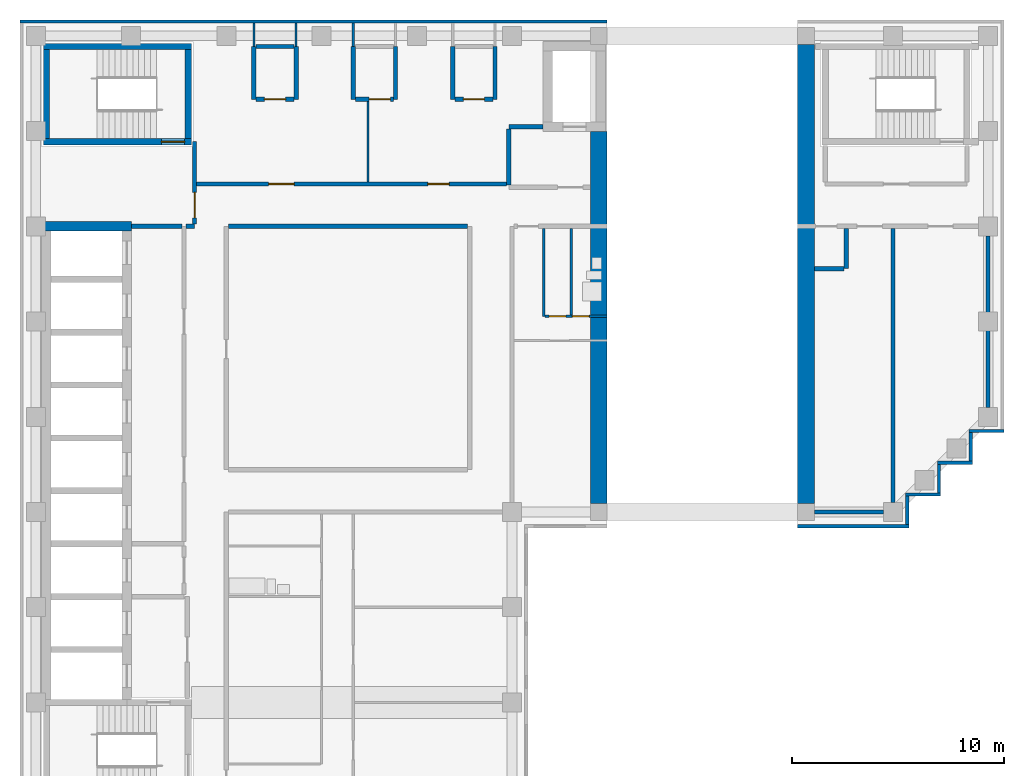
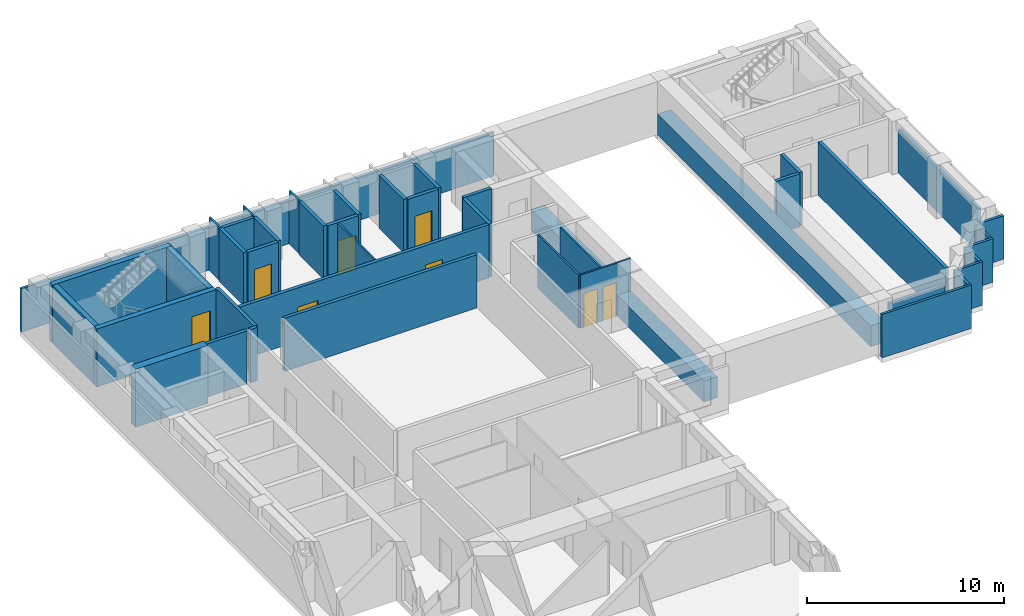
# One storey, part 4 of 7: 44 walls, 9 doors, 9 openings.
"""IFC4 building model written with IfcOpenShell, lengths in metres."""

from ifc_helpers import new_model, si_unit, direction, frame, frame_2d, origin, place, context, subcontext, project, spatial, rectangle, extrude, material, layer, layer_set, type_object, element, fill, save


model = new_model("IFC4")

# Units and contexts
model_context = context("Model", 3, precision=1e-05, world=origin(), true_north=direction((0.0, 1.0)))
body_context = subcontext(model_context, "Body", "Model", "MODEL_VIEW")
ifc_project = project(units=[si_unit("LENGTHUNIT", "METRE"), si_unit("AREAUNIT", "SQUARE_METRE"), si_unit("VOLUMEUNIT", "CUBIC_METRE"), si_unit("PLANEANGLEUNIT", "RADIAN"), si_unit("MASSUNIT", "GRAM", prefix="KILO")], contexts=[model_context])

# Site, building, storey
site_placement = place(None, origin())
site = spatial("IfcSite", under=ifc_project, at=site_placement, CompositionType="ELEMENT")
building_placement = place(site_placement, origin())
building = spatial("IfcBuilding", under=site, at=building_placement, Name="Firuza Court", CompositionType="ELEMENT")
storey_placement = place(building_placement, frame((0.0, 0.0, 247.39990234375)))
storey = spatial("IfcBuildingStorey", under=building, at=storey_placement, Name="L64", CompositionType="ELEMENT", Elevation=247.39990234375)

# Wall
ifc_material_1 = material(Name="Moisture-resistant gypsum board partition")
ifc_layer_1 = layer(ifc_material_1, 0.10009765625)
ifc_layer_set_1 = layer_set([ifc_layer_1], Name="Moisture-resistant gypsum board partition")
wall_type_1 = type_object("IfcWallType", Name="Bathroom partition 100", PredefinedType="PLUMBINGWALL", material=ifc_layer_set_1)
wall_1_placement = place(storey_placement, frame((25.300048828125, 45.300048828125, 0.0), z_axis=(0.0, 0.0, 1.0), x_axis=(0.0, 1.0, 0.0)))
element("IfcWall", 1, at=wall_1_placement, inside=storey, type_object=wall_type_1, Name="Bathroom partition 100 L64", PredefinedType="PLUMBINGWALL", context=body_context, shape_type="SweptSolid", body=[
    extrude(rectangle(XDim=4.099853515625, YDim=0.10009765625, at=frame_2d((2.0498046875, 0.0))), origin(), (0.0, 0.0, 1.0), 3.300048828125),
])

# Wall, opening, door
ifc_material_2 = material(Name="Concrete C50/60", Category="concrete")
ifc_layer_2 = layer(ifc_material_2, 0.300048828125)
ifc_layer_set_2 = layer_set([ifc_layer_2], Name="Concrete C50/60")
wall_type_2 = type_object("IfcWallType", Name="Core wall 300 C50/60", PredefinedType="SHEAR", material=ifc_layer_set_2)
wall_2_placement = place(storey_placement, frame((0.35009765625, 53.5, -0.2998046875), z_axis=(0.0, 0.0, 1.0), x_axis=(1.0, 0.0, 0.0)))
wall_2 = element("IfcWall", 2, at=wall_2_placement, inside=storey, type_object=wall_type_2, Name="Core wall stair L64", PredefinedType="SHEAR", context=body_context, shape_type="SweptSolid", body=[
    extrude(rectangle(XDim=7.0, YDim=0.300048828125, at=frame_2d((3.5, 0.0))), origin(), (0.0, 0.0, 1.0), 3.599853515625),
])
opening_1_placement = place(wall_2_placement, frame((5.580078125, 0.0, 0.300048828125)))
opening_1 = element("IfcOpeningElement", 3, at=opening_1_placement, cuts=wall_2, Name="Opening D64011", PredefinedType="OPENING", context=body_context, shape_type="SweptSolid", body=[
    extrude(rectangle(XDim=1.10009765625, YDim=2.10009765625, at=frame_2d((0.550048828125, 1.050048828125))), frame((0.0, 0.162109375, 0.0), z_axis=(0.0, -1.0, 0.0), x_axis=(1.0, 0.0, 0.0)), (0.0, 0.0, 1.0), 0.323974609375),
])
ifc_material_3 = material(Name="Timber door leaf in hardwood frame", Category="wood")
door_type_1 = type_object("IfcDoorType", Name="Stair door 1100", OperationType="SINGLE_SWING_LEFT", PredefinedType="DOOR", material=ifc_material_3)
door_1_placement = place(opening_1_placement, origin())
door_1 = element("IfcDoor", 4, at=door_1_placement, inside=storey, type_object=door_type_1, Name="Stair door S3", OperationType="SINGLE_SWING_RIGHT", OverallHeight=2.10009765625, OverallWidth=1.10009765625, PredefinedType="DOOR", context=body_context, shape_type="SweptSolid", body=[
    extrude(rectangle(XDim=1.10009765625, YDim=2.10009765625, at=frame_2d((0.550048828125, 1.050048828125))), frame((0.0, 0.02490234375, 0.0), z_axis=(0.0, -1.0, 0.0), x_axis=(1.0, 0.0, 0.0)), (0.0, 0.0, 1.0), 0.050048828125),
])
fill(opening_1, door_1)

# Walls
wall_3_placement = place(storey_placement, frame((0.35009765625, 58.0, -0.2998046875), z_axis=(0.0, 0.0, 1.0), x_axis=(1.0, 0.0, 0.0)))
element("IfcWall", 5, at=wall_3_placement, inside=storey, type_object=wall_type_2, Name="Core wall stair L64", PredefinedType="SHEAR", context=body_context, shape_type="SweptSolid", body=[
    extrude(rectangle(XDim=7.0, YDim=0.300048828125, at=frame_2d((3.5, 0.0))), origin(), (0.0, 0.0, 1.0), 3.599853515625),
])
for number, where, z_axis, x_axis, name in (
    (6, (0.5, 53.64990234375, -0.2998046875), (0.0, 0.0, 1.0), (0.0, 1.0, 0.0), "Core wall stair L64"),
    (7, (7.199951171875, 53.64990234375, -0.2998046875), (0.0, 0.0, 1.0), (0.0, 1.0, 0.0), "Core wall stair L64"),
):
    element("IfcWall", number, at=place(storey_placement, frame(where, z_axis=z_axis, x_axis=x_axis)), inside=storey, type_object=wall_type_2, Name=name, PredefinedType="SHEAR", context=body_context, shape_type="SweptSolid", body=[
        extrude(rectangle(XDim=4.2001953125, YDim=0.300048828125, at=frame_2d((2.10009765625, 0.0))), origin(), (0.0, 0.0, 1.0), 3.599853515625),
    ])
ifc_layer_3 = layer(ifc_material_2, 0.449951171875)
ifc_layer_set_3 = layer_set([ifc_layer_3], Name="Concrete C50/60")
wall_type_3 = type_object("IfcWallType", Name="Core wall 450 C50/60", PredefinedType="SHEAR", material=ifc_layer_set_3)
wall_4_placement = place(storey_placement, frame((0.27490234375, 49.5, -0.2998046875), z_axis=(0.0, 0.0, 1.0), x_axis=(1.0, 0.0, 0.0)))
element("IfcWall", 8, at=wall_4_placement, inside=storey, type_object=wall_type_3, Name="Core wall lift shaft L64", PredefinedType="SHEAR", context=body_context, shape_type="SweptSolid", body=[
    extrude(rectangle(XDim=4.25, YDim=0.449951171875, at=frame_2d((2.125, 0.0))), origin(), (0.0, 0.0, 1.0), 3.599853515625),
])
ifc_material_4 = material(Name="Blockwork, plastered both sides", Category="masonry")
ifc_layer_4 = layer(ifc_material_4, 0.199951171875)
ifc_layer_set_4 = layer_set([ifc_layer_4], Name="Blockwork, plastered both sides")
wall_type_4 = type_object("IfcWallType", Name="Corridor wall 200", PredefinedType="PARTITIONING", material=ifc_layer_set_4)
wall_5_placement = place(storey_placement, frame((9.10009765625, 49.5, 0.0), z_axis=(0.0, 0.0, 1.0), x_axis=(1.0, 0.0, 0.0)))
element("IfcWall", 9, at=wall_5_placement, inside=storey, type_object=wall_type_4, Name="Corridor wall 200 L64", PredefinedType="PARTITIONING", context=body_context, shape_type="SweptSolid", body=[
    extrude(rectangle(XDim=11.2998046875, YDim=0.199951171875, at=frame_2d((5.64990234375, 0.0))), origin(), (0.0, 0.0, 1.0), 3.300048828125),
])

# Wall, openings, doors
wall_6_placement = place(storey_placement, frame((7.60009765625, 51.5, 0.0), z_axis=(0.0, 0.0, 1.0), x_axis=(1.0, 0.0, 0.0)))
wall_6 = element("IfcWall", 10, at=wall_6_placement, inside=storey, type_object=wall_type_4, Name="Corridor wall 200 L64", PredefinedType="PARTITIONING", context=body_context, shape_type="SweptSolid", body=[
    extrude(rectangle(XDim=14.64990234375, YDim=0.199951171875, at=frame_2d((7.324951171875, 0.0))), origin(), (0.0, 0.0, 1.0), 3.300048828125),
])
opening_2_placement = place(wall_6_placement, frame((3.39990234375, 0.0, 0.0)))
opening_2 = element("IfcOpeningElement", 11, at=opening_2_placement, cuts=wall_6, Name="Opening D64032", PredefinedType="OPENING", context=body_context, shape_type="SweptSolid", body=[
    extrude(rectangle(XDim=1.199951171875, YDim=2.10009765625, at=frame_2d((0.60009765625, 1.050048828125))), frame((0.0, 0.11181640625, 0.0), z_axis=(0.0, -1.0, 0.0), x_axis=(1.0, 0.0, 0.0)), (0.0, 0.0, 1.0), 0.223876953125),
])
opening_3_placement = place(wall_6_placement, frame((10.925048828125, 0.0, 0.0)))
opening_3 = element("IfcOpeningElement", 12, at=opening_3_placement, cuts=wall_6, Name="Opening D64033", PredefinedType="OPENING", context=body_context, shape_type="SweptSolid", body=[
    extrude(rectangle(XDim=1.0, YDim=2.10009765625, at=frame_2d((0.5, 1.050048828125))), frame((0.0, 0.11181640625, 0.0), z_axis=(0.0, -1.0, 0.0), x_axis=(1.0, 0.0, 0.0)), (0.0, 0.0, 1.0), 0.223876953125),
])
ifc_material_5 = material(Name="Timber door leaf in hardwood frame", Category="wood")
door_type_2 = type_object("IfcDoorType", Name="Plant room door 1200", OperationType="SINGLE_SWING_LEFT", PredefinedType="DOOR", material=ifc_material_5)
door_2_placement = place(opening_2_placement, origin())
door_2 = element("IfcDoor", 13, at=door_2_placement, inside=storey, type_object=door_type_2, Name="Plant door", OperationType="SINGLE_SWING_LEFT", OverallHeight=2.10009765625, OverallWidth=1.199951171875, PredefinedType="DOOR", context=body_context, shape_type="SweptSolid", body=[
    extrude(rectangle(XDim=1.199951171875, YDim=2.10009765625, at=frame_2d((0.60009765625, 1.050048828125))), frame((0.0, 0.02490234375, 0.0), z_axis=(0.0, -1.0, 0.0), x_axis=(1.0, 0.0, 0.0)), (0.0, 0.0, 1.0), 0.050048828125),
])
fill(opening_2, door_2)
ifc_material_6 = material(Name="Timber door leaf in hardwood frame", Category="wood")
door_type_3 = type_object("IfcDoorType", Name="Store door 1000", OperationType="SINGLE_SWING_LEFT", PredefinedType="DOOR", material=ifc_material_6)
door_3_placement = place(opening_3_placement, origin())
door_3 = element("IfcDoor", 14, at=door_3_placement, inside=storey, type_object=door_type_3, Name="Electrical room door", OperationType="SINGLE_SWING_LEFT", OverallHeight=2.10009765625, OverallWidth=1.0, PredefinedType="DOOR", context=body_context, shape_type="SweptSolid", body=[
    extrude(rectangle(XDim=1.0, YDim=2.10009765625, at=frame_2d((0.5, 1.050048828125))), frame((0.0, 0.02490234375, 0.0), z_axis=(0.0, -1.0, 0.0), x_axis=(1.0, 0.0, 0.0)), (0.0, 0.0, 1.0), 0.050048828125),
])
fill(opening_3, door_3)

# Wall
ifc_material_7 = material(Name="Timber stud partition, plasterboard both sides", Category="wood")
ifc_layer_5 = layer(ifc_material_7, 0.10009765625)
ifc_layer_set_5 = layer_set([ifc_layer_5], Name="Timber stud partition, plasterboard both sides")
wall_type_5 = type_object("IfcWallType", Name="Partition wall 100", PredefinedType="PARTITIONING", material=ifc_layer_set_5)
wall_7_placement = place(storey_placement, frame((24.0, 45.25, 0.0), z_axis=(0.0, 0.0, 1.0), x_axis=(0.0, 1.0, 0.0)))
element("IfcWall", 15, at=wall_7_placement, inside=storey, type_object=wall_type_5, Name="Partition wall 100 L64", PredefinedType="PARTITIONING", context=body_context, shape_type="SweptSolid", body=[
    extrude(rectangle(XDim=4.14990234375, YDim=0.10009765625, at=frame_2d((2.074951171875, 0.0))), origin(), (0.0, 0.0, 1.0), 3.300048828125),
])

# Wall, openings, doors
wall_8_placement = place(storey_placement, frame((24.050048828125, 45.25, 0.0), z_axis=(0.0, 0.0, 1.0), x_axis=(1.0, 0.0, 0.0)))
wall_8 = element("IfcWall", 16, at=wall_8_placement, inside=storey, type_object=wall_type_5, Name="Partition wall 100 L64", PredefinedType="PARTITIONING", context=body_context, shape_type="SweptSolid", body=[
    extrude(rectangle(XDim=2.949951171875, YDim=0.10009765625, at=frame_2d((1.47509765625, 0.0))), origin(), (0.0, 0.0, 1.0), 3.300048828125),
])
opening_4_placement = place(wall_8_placement, frame((1.300048828125, 0.0, 0.0)))
opening_4 = element("IfcOpeningElement", 17, at=opening_4_placement, cuts=wall_8, Name="Opening D64026", PredefinedType="OPENING", context=body_context, shape_type="SweptSolid", body=[
    extrude(rectangle(XDim=0.800048828125, YDim=2.10009765625, at=frame_2d((0.39990234375, 1.050048828125))), frame((0.0, 0.06201171875, 0.0), z_axis=(0.0, -1.0, 0.0), x_axis=(1.0, 0.0, 0.0)), (0.0, 0.0, 1.0), 0.1240234375),
])
opening_5_placement = place(wall_8_placement, frame((0.199951171875, 0.0, 0.0)))
opening_5 = element("IfcOpeningElement", 18, at=opening_5_placement, cuts=wall_8, Name="Opening D64027", PredefinedType="OPENING", context=body_context, shape_type="SweptSolid", body=[
    extrude(rectangle(XDim=0.800048828125, YDim=2.10009765625, at=frame_2d((0.39990234375, 1.050048828125))), frame((0.0, 0.06201171875, 0.0), z_axis=(0.0, -1.0, 0.0), x_axis=(1.0, 0.0, 0.0)), (0.0, 0.0, 1.0), 0.1240234375),
])
ifc_material_8 = material(Name="Timber door leaf in hardwood frame", Category="wood")
door_type_4 = type_object("IfcDoorType", Name="Bathroom door 800", OperationType="SINGLE_SWING_LEFT", PredefinedType="DOOR", material=ifc_material_8)
door_4_placement = place(opening_4_placement, origin())
door_4 = element("IfcDoor", 19, at=door_4_placement, inside=storey, type_object=door_type_4, Name="Bathroom door", OperationType="SINGLE_SWING_LEFT", OverallHeight=2.10009765625, OverallWidth=0.800048828125, PredefinedType="DOOR", context=body_context, shape_type="SweptSolid", body=[
    extrude(rectangle(XDim=0.800048828125, YDim=2.10009765625, at=frame_2d((0.39990234375, 1.050048828125))), frame((0.0, 0.02490234375, 0.0), z_axis=(0.0, -1.0, 0.0), x_axis=(1.0, 0.0, 0.0)), (0.0, 0.0, 1.0), 0.050048828125),
])
fill(opening_4, door_4)
ifc_material_9 = material(Name="Timber door leaf in hardwood frame", Category="wood")
door_type_5 = type_object("IfcDoorType", Name="Room door 800", OperationType="SINGLE_SWING_LEFT", PredefinedType="DOOR", material=ifc_material_9)
door_5_placement = place(opening_5_placement, origin())
door_5 = element("IfcDoor", 20, at=door_5_placement, inside=storey, type_object=door_type_5, Name="Kitchen door", OperationType="SINGLE_SWING_LEFT", OverallHeight=2.10009765625, OverallWidth=0.800048828125, PredefinedType="DOOR", context=body_context, shape_type="SweptSolid", body=[
    extrude(rectangle(XDim=0.800048828125, YDim=2.10009765625, at=frame_2d((0.39990234375, 1.050048828125))), frame((0.0, 0.02490234375, 0.0), z_axis=(0.0, -1.0, 0.0), x_axis=(1.0, 0.0, 0.0)), (0.0, 0.0, 1.0), 0.050048828125),
])
fill(opening_5, door_5)

# Walls
wall_9_placement = place(storey_placement, frame((15.699951171875, 51.60009765625, 0.0), z_axis=(0.0, 0.0, 1.0), x_axis=(0.0, 1.0, 0.0)))
element("IfcWall", 21, at=wall_9_placement, inside=storey, type_object=wall_type_5, Name="Partition wall 100 L64", PredefinedType="PARTITIONING", context=body_context, shape_type="SweptSolid", body=[
    extrude(rectangle(XDim=3.7998046875, YDim=0.10009765625, at=frame_2d((1.89990234375, 0.0))), origin(), (0.0, 0.0, 1.0), 3.300048828125),
])
for number, where, z_axis, x_axis, name in (
    (22, (10.300048828125, 58.0, 0.0), (0.0, 0.0, 1.0), (0.0, 1.0, 0.0), "Partition wall 100 L64"),
    (23, (12.300048828125, 58.0, 0.0), (0.0, 0.0, 1.0), (0.0, 1.0, 0.0), "Partition wall 100 L64"),
    (24, (15.0, 58.0, 0.0), (0.0, 0.0, 1.0), (0.0, 1.0, 0.0), "Partition wall 100 L64"),
):
    element("IfcWall", number, at=place(storey_placement, frame(where, z_axis=z_axis, x_axis=x_axis)), inside=storey, type_object=wall_type_5, Name=name, PredefinedType="PARTITIONING", context=body_context, shape_type="SweptSolid", body=[
        extrude(rectangle(XDim=1.10009765625, YDim=0.10009765625, at=frame_2d((0.550048828125, 0.0))), origin(), (0.0, 0.0, 1.0), 3.300048828125),
    ])
ifc_material_10 = material(Name="Blockwork, fire-rated", Category="masonry")
ifc_layer_6 = layer(ifc_material_10, 0.199951171875)
ifc_layer_set_6 = layer_set([ifc_layer_6], Name="Blockwork, fire-rated")
wall_type_6 = type_object("IfcWallType", Name="Plant room wall 200", PredefinedType="PARTITIONING", material=ifc_layer_set_6)
wall_10_placement = place(storey_placement, frame((36.800048828125, 36.0, 0.0), z_axis=(0.0, 0.0, 1.0), x_axis=(1.0, 0.0, 0.0)))
element("IfcWall", 25, at=wall_10_placement, inside=storey, type_object=wall_type_6, Name="Plant room wall 200 L64", PredefinedType="PARTITIONING", context=body_context, shape_type="SweptSolid", body=[
    extrude(rectangle(XDim=3.25, YDim=0.199951171875, at=frame_2d((1.625, 0.0))), origin(), (0.0, 0.0, 1.0), 2.7001953125),
])
wall_11_placement = place(storey_placement, frame((40.5, 36.449951171875, 0.0), z_axis=(0.0, 0.0, 1.0), x_axis=(0.0, 1.0, 0.0)))
element("IfcWall", 26, at=wall_11_placement, inside=storey, type_object=wall_type_6, Name="Plant room wall 200 L64", PredefinedType="PARTITIONING", context=body_context, shape_type="SweptSolid", body=[
    extrude(rectangle(XDim=12.949951171875, YDim=0.199951171875, at=frame_2d((6.47509765625, 0.0))), origin(), (0.0, 0.0, 1.0), 3.300048828125),
])
wall_12_placement = place(storey_placement, frame((45.0, 40.949951171875, 0.0), z_axis=(0.0, 0.0, 1.0), x_axis=(0.0, 1.0, 0.0)))
element("IfcWall", 27, at=wall_12_placement, inside=storey, type_object=wall_type_6, Name="Plant room wall 200 L64", PredefinedType="PARTITIONING", context=body_context, shape_type="SweptSolid", body=[
    extrude(rectangle(XDim=8.10009765625, YDim=0.199951171875, at=frame_2d((4.050048828125, 0.0))), origin(), (0.0, 0.0, 1.0), 2.7001953125),
])
wall_13_placement = place(storey_placement, frame((36.800048828125, 47.5, 0.0), z_axis=(0.0, 0.0, 1.0), x_axis=(1.0, 0.0, 0.0)))
element("IfcWall", 28, at=wall_13_placement, inside=storey, type_object=wall_type_6, Name="Plant room wall 200 L64", PredefinedType="PARTITIONING", context=body_context, shape_type="SweptSolid", body=[
    extrude(rectangle(XDim=1.39990234375, YDim=0.199951171875, at=frame_2d((0.699951171875, 0.0))), origin(), (0.0, 0.0, 1.0), 3.300048828125),
])
wall_14_placement = place(storey_placement, frame((38.300048828125, 47.5, 0.0), z_axis=(0.0, 0.0, 1.0), x_axis=(0.0, 1.0, 0.0)))
element("IfcWall", 29, at=wall_14_placement, inside=storey, type_object=wall_type_6, Name="Plant room wall 200 L64", PredefinedType="PARTITIONING", context=body_context, shape_type="SweptSolid", body=[
    extrude(rectangle(XDim=1.89990234375, YDim=0.199951171875, at=frame_2d((0.949951171875, 0.0))), origin(), (0.0, 0.0, 1.0), 3.300048828125),
])
wall_15_placement = place(storey_placement, frame((10.300048828125, 55.5, 0.0), z_axis=(0.0, 0.0, 1.0), x_axis=(0.0, 1.0, 0.0)))
element("IfcWall", 30, at=wall_15_placement, inside=storey, type_object=wall_type_6, Name="Plant room wall 200 L64", PredefinedType="PARTITIONING", context=body_context, shape_type="SweptSolid", body=[
    extrude(rectangle(XDim=2.5, YDim=0.199951171875, at=frame_2d((1.25, 0.0))), origin(), (0.0, 0.0, 1.0), 3.300048828125),
])

# Wall, opening, door
wall_16_placement = place(storey_placement, frame((10.39990234375, 55.5, 0.0), z_axis=(0.0, 0.0, 1.0), x_axis=(1.0, 0.0, 0.0)))
wall_16 = element("IfcWall", 31, at=wall_16_placement, inside=storey, type_object=wall_type_6, Name="Plant room wall 200 L64", PredefinedType="PARTITIONING", context=body_context, shape_type="SweptSolid", body=[
    extrude(rectangle(XDim=1.800048828125, YDim=0.199951171875, at=frame_2d((0.89990234375, 0.0))), origin(), (0.0, 0.0, 1.0), 3.300048828125),
])
opening_6_placement = place(wall_16_placement, frame((0.39990234375, 0.0, 0.0)))
opening_6 = element("IfcOpeningElement", 32, at=opening_6_placement, cuts=wall_16, Name="Opening D64034", PredefinedType="OPENING", context=body_context, shape_type="SweptSolid", body=[
    extrude(rectangle(XDim=1.0, YDim=2.10009765625, at=frame_2d((0.5, 1.050048828125))), frame((0.0, 0.11181640625, 0.0), z_axis=(0.0, -1.0, 0.0), x_axis=(1.0, 0.0, 0.0)), (0.0, 0.0, 1.0), 0.223876953125),
])
ifc_material_11 = material(Name="Timber door leaf in hardwood frame", Category="wood")
door_type_6 = type_object("IfcDoorType", Name="Riser door 1000", OperationType="SINGLE_SWING_LEFT", PredefinedType="DOOR", material=ifc_material_11)
door_6_placement = place(opening_6_placement, origin())
door_6 = element("IfcDoor", 33, at=door_6_placement, inside=storey, type_object=door_type_6, Name="Comms riser door", OperationType="SINGLE_SWING_LEFT", OverallHeight=2.10009765625, OverallWidth=1.0, PredefinedType="DOOR", context=body_context, shape_type="SweptSolid", body=[
    extrude(rectangle(XDim=1.0, YDim=2.10009765625, at=frame_2d((0.5, 1.050048828125))), frame((0.0, 0.02490234375, 0.0), z_axis=(0.0, -1.0, 0.0), x_axis=(1.0, 0.0, 0.0)), (0.0, 0.0, 1.0), 0.050048828125),
])
fill(opening_6, door_6)

# Walls
for number, where, z_axis, x_axis, name in (
    (34, (12.300048828125, 55.5, 0.0), (0.0, 0.0, 1.0), (0.0, 1.0, 0.0), "Plant room wall 200 L64"),
    (35, (15.0, 55.5, 0.0), (0.0, 0.0, 1.0), (0.0, 1.0, 0.0), "Plant room wall 200 L64"),
):
    element("IfcWall", number, at=place(storey_placement, frame(where, z_axis=z_axis, x_axis=x_axis)), inside=storey, type_object=wall_type_6, Name=name, PredefinedType="PARTITIONING", context=body_context, shape_type="SweptSolid", body=[
        extrude(rectangle(XDim=2.5, YDim=0.199951171875, at=frame_2d((1.25, 0.0))), origin(), (0.0, 0.0, 1.0), 3.300048828125),
    ])

# Wall, opening, door
wall_17_placement = place(storey_placement, frame((15.10009765625, 55.5, 0.0), z_axis=(0.0, 0.0, 1.0), x_axis=(1.0, 0.0, 0.0)))
wall_17 = element("IfcWall", 36, at=wall_17_placement, inside=storey, type_object=wall_type_6, Name="Plant room wall 200 L64", PredefinedType="PARTITIONING", context=body_context, shape_type="SweptSolid", body=[
    extrude(rectangle(XDim=1.7998046875, YDim=0.199951171875, at=frame_2d((0.89990234375, 0.0))), origin(), (0.0, 0.0, 1.0), 3.300048828125),
])
opening_7_placement = place(wall_17_placement, frame((0.64990234375, 0.0, 0.0)))
opening_7 = element("IfcOpeningElement", 37, at=opening_7_placement, cuts=wall_17, Name="Opening D64035", PredefinedType="OPENING", context=body_context, shape_type="SweptSolid", body=[
    extrude(rectangle(XDim=1.0, YDim=2.10009765625, at=frame_2d((0.5, 1.050048828125))), frame((0.0, 0.11181640625, 0.0), z_axis=(0.0, -1.0, 0.0), x_axis=(1.0, 0.0, 0.0)), (0.0, 0.0, 1.0), 0.223876953125),
])
door_7_placement = place(opening_7_placement, origin())
door_7 = element("IfcDoor", 38, at=door_7_placement, inside=storey, type_object=door_type_6, Name="Electrical riser door", OperationType="SINGLE_SWING_RIGHT", OverallHeight=2.10009765625, OverallWidth=1.0, PredefinedType="DOOR", context=body_context, shape_type="SweptSolid", body=[
    extrude(rectangle(XDim=1.0, YDim=2.10009765625, at=frame_2d((0.5, 1.050048828125))), frame((0.0, 0.02490234375, 0.0), z_axis=(0.0, -1.0, 0.0), x_axis=(1.0, 0.0, 0.0)), (0.0, 0.0, 1.0), 0.050048828125),
])
fill(opening_7, door_7)

# Walls
for number, where, z_axis, x_axis, name in (
    (39, (17.0, 55.5, 0.0), (0.0, 0.0, 1.0), (0.0, 1.0, 0.0), "Plant room wall 200 L64"),
    (40, (19.699951171875, 55.5, 0.0), (0.0, 0.0, 1.0), (0.0, 1.0, 0.0), "Plant room wall 200 L64"),
):
    element("IfcWall", number, at=place(storey_placement, frame(where, z_axis=z_axis, x_axis=x_axis)), inside=storey, type_object=wall_type_6, Name=name, PredefinedType="PARTITIONING", context=body_context, shape_type="SweptSolid", body=[
        extrude(rectangle(XDim=2.5, YDim=0.199951171875, at=frame_2d((1.25, 0.0))), origin(), (0.0, 0.0, 1.0), 3.300048828125),
    ])

# Wall, opening, door
wall_18_placement = place(storey_placement, frame((19.800048828125, 55.5, 0.0), z_axis=(0.0, 0.0, 1.0), x_axis=(1.0, 0.0, 0.0)))
wall_18 = element("IfcWall", 41, at=wall_18_placement, inside=storey, type_object=wall_type_6, Name="Plant room wall 200 L64", PredefinedType="PARTITIONING", context=body_context, shape_type="SweptSolid", body=[
    extrude(rectangle(XDim=1.800048828125, YDim=0.199951171875, at=frame_2d((0.89990234375, 0.0))), origin(), (0.0, 0.0, 1.0), 3.300048828125),
])
opening_8_placement = place(wall_18_placement, frame((0.39990234375, 0.0, 0.0)))
opening_8 = element("IfcOpeningElement", 42, at=opening_8_placement, cuts=wall_18, Name="Opening D64036", PredefinedType="OPENING", context=body_context, shape_type="SweptSolid", body=[
    extrude(rectangle(XDim=1.0, YDim=2.10009765625, at=frame_2d((0.5, 1.050048828125))), frame((0.0, 0.11181640625, 0.0), z_axis=(0.0, -1.0, 0.0), x_axis=(1.0, 0.0, 0.0)), (0.0, 0.0, 1.0), 0.223876953125),
])
door_8_placement = place(opening_8_placement, origin())
door_8 = element("IfcDoor", 43, at=door_8_placement, inside=storey, type_object=door_type_6, Name="Duct riser door", OperationType="SINGLE_SWING_LEFT", OverallHeight=2.10009765625, OverallWidth=1.0, PredefinedType="DOOR", context=body_context, shape_type="SweptSolid", body=[
    extrude(rectangle(XDim=1.0, YDim=2.10009765625, at=frame_2d((0.5, 1.050048828125))), frame((0.0, 0.02490234375, 0.0), z_axis=(0.0, -1.0, 0.0), x_axis=(1.0, 0.0, 0.0)), (0.0, 0.0, 1.0), 0.050048828125),
])
fill(opening_8, door_8)

# Walls
wall_19_placement = place(storey_placement, frame((21.699951171875, 55.5, 0.0), z_axis=(0.0, 0.0, 1.0), x_axis=(0.0, 1.0, 0.0)))
element("IfcWall", 44, at=wall_19_placement, inside=storey, type_object=wall_type_6, Name="Plant room wall 200 L64", PredefinedType="PARTITIONING", context=body_context, shape_type="SweptSolid", body=[
    extrude(rectangle(XDim=2.5, YDim=0.199951171875, at=frame_2d((1.25, 0.0))), origin(), (0.0, 0.0, 1.0), 3.300048828125),
])
wall_20_placement = place(storey_placement, frame((10.39990234375, 58.0, 0.0), z_axis=(0.0, 0.0, 1.0), x_axis=(1.0, 0.0, 0.0)))
element("IfcWall", 45, at=wall_20_placement, inside=storey, type_object=wall_type_6, Name="Plant room wall 200 L64", PredefinedType="PARTITIONING", context=body_context, shape_type="SweptSolid", body=[
    extrude(rectangle(XDim=1.800048828125, YDim=0.199951171875, at=frame_2d((0.89990234375, 0.0))), origin(), (0.0, 0.0, 1.0), 3.300048828125),
])
ifc_material_12 = material(Name="Ceramic tile", Category="ceramic")
ifc_layer_7 = layer(ifc_material_12, 0.02001953125)
ifc_material_13 = material(Name="Mineral wool insulation", Category="insulation")
ifc_layer_8 = layer(ifc_material_13, 0.179931640625)
ifc_material_14 = material(Name="Concrete C40/50 precast", Category="concrete")
ifc_layer_9 = layer(ifc_material_14, 0.60009765625)
ifc_layer_set_7 = layer_set([ifc_layer_7, ifc_layer_8, ifc_layer_9], Name="Concrete C40/50 precast")
wall_type_7 = type_object("IfcWallType", Name="Portal reveal wall 800", PredefinedType="STANDARD", material=ifc_layer_set_7)
wall_21_placement = place(storey_placement, frame((26.60009765625, 36.39990234375, 0.0), z_axis=(0.0, 0.0, 1.0), x_axis=(0.0, 1.0, 0.0)))
element("IfcWall", 46, at=wall_21_placement, inside=storey, type_object=wall_type_7, Name="Portal reveal wall L64 W", PredefinedType="STANDARD", context=body_context, shape_type="SweptSolid", body=[
    extrude(rectangle(XDim=17.5751953125, YDim=0.800048828125, at=frame_2d((8.78759765625, 0.0))), origin(), (0.0, 0.0, 1.0), 1.300048828125),
])
wall_22_placement = place(storey_placement, frame((36.39990234375, 36.39990234375, 0.0), z_axis=(0.0, 0.0, 1.0), x_axis=(0.0, 1.0, 0.0)))
element("IfcWall", 47, at=wall_22_placement, inside=storey, type_object=wall_type_7, Name="Portal reveal wall L64 E", PredefinedType="STANDARD", context=body_context, shape_type="SweptSolid", body=[
    extrude(rectangle(XDim=21.7001953125, YDim=0.800048828125, at=frame_2d((10.85009765625, 0.0))), origin(), (0.0, 0.0, 1.0), 1.300048828125),
])
ifc_layer_10 = layer(ifc_material_12, 0.02001953125)
ifc_layer_11 = layer(ifc_material_13, 0.050048828125)
ifc_layer_12 = layer(ifc_material_14, 0.080078125)
ifc_layer_set_8 = layer_set([ifc_layer_10, ifc_layer_11, ifc_layer_12], Name="Concrete C40/50 precast")
wall_type_8 = type_object("IfcWallType", Name="Precast cladding wall with turquoise TILE PANEL face 150", PredefinedType="STANDARD", material=ifc_layer_set_8)
wall_23_placement = place(storey_placement, frame((36.0, 35.324951171875, 0.0), z_axis=(0.0, 0.0, 1.0), x_axis=(1.0, 0.0, 0.0)))
element("IfcWall", 48, at=wall_23_placement, inside=storey, type_object=wall_type_8, Name="Facade wall L64 S", PredefinedType="STANDARD", context=body_context, shape_type="SweptSolid", body=[
    extrude(rectangle(XDim=5.25, YDim=0.14990234375, at=frame_2d((2.625, 0.0))), origin(), (0.0, 0.0, 1.0), 2.7001953125),
])
wall_24_placement = place(storey_placement, frame((41.175048828125, 35.39990234375, 0.0), z_axis=(0.0, 0.0, 1.0), x_axis=(0.0, 1.0, 0.0)))
element("IfcWall", 49, at=wall_24_placement, inside=storey, type_object=wall_type_8, Name="Facade wall L64 E", PredefinedType="STANDARD", context=body_context, shape_type="SweptSolid", body=[
    extrude(rectangle(XDim=1.35009765625, YDim=0.14990234375, at=frame_2d((0.675048828125, 0.0))), origin(), (0.0, 0.0, 1.0), 2.7001953125),
])
wall_25_placement = place(storey_placement, frame((41.10009765625, 36.824951171875, 0.0), z_axis=(0.0, 0.0, 1.0), x_axis=(1.0, 0.0, 0.0)))
element("IfcWall", 50, at=wall_25_placement, inside=storey, type_object=wall_type_8, Name="Facade wall L64 S", PredefinedType="STANDARD", context=body_context, shape_type="SweptSolid", body=[
    extrude(rectangle(XDim=1.64990234375, YDim=0.14990234375, at=frame_2d((0.824951171875, 0.0))), origin(), (0.0, 0.0, 1.0), 2.7001953125),
])
wall_26_placement = place(storey_placement, frame((42.675048828125, 36.89990234375, 0.0), z_axis=(0.0, 0.0, 1.0), x_axis=(0.0, 1.0, 0.0)))
element("IfcWall", 51, at=wall_26_placement, inside=storey, type_object=wall_type_8, Name="Facade wall L64 E", PredefinedType="STANDARD", context=body_context, shape_type="SweptSolid", body=[
    extrude(rectangle(XDim=1.35009765625, YDim=0.14990234375, at=frame_2d((0.675048828125, 0.0))), origin(), (0.0, 0.0, 1.0), 2.7001953125),
])
wall_27_placement = place(storey_placement, frame((42.60009765625, 38.324951171875, 0.0), z_axis=(0.0, 0.0, 1.0), x_axis=(1.0, 0.0, 0.0)))
element("IfcWall", 52, at=wall_27_placement, inside=storey, type_object=wall_type_8, Name="Facade wall L64 S", PredefinedType="STANDARD", context=body_context, shape_type="SweptSolid", body=[
    extrude(rectangle(XDim=1.64990234375, YDim=0.14990234375, at=frame_2d((0.824951171875, 0.0))), origin(), (0.0, 0.0, 1.0), 2.7001953125),
])
wall_28_placement = place(storey_placement, frame((44.175048828125, 38.39990234375, 0.0), z_axis=(0.0, 0.0, 1.0), x_axis=(0.0, 1.0, 0.0)))
element("IfcWall", 53, at=wall_28_placement, inside=storey, type_object=wall_type_8, Name="Facade wall L64 E", PredefinedType="STANDARD", context=body_context, shape_type="SweptSolid", body=[
    extrude(rectangle(XDim=1.35009765625, YDim=0.14990234375, at=frame_2d((0.675048828125, 0.0))), origin(), (0.0, 0.0, 1.0), 2.7001953125),
])
wall_29_placement = place(storey_placement, frame((44.10009765625, 39.824951171875, 0.0), z_axis=(0.0, 0.0, 1.0), x_axis=(1.0, 0.0, 0.0)))
element("IfcWall", 54, at=wall_29_placement, inside=storey, type_object=wall_type_8, Name="Facade wall L64 S", PredefinedType="STANDARD", context=body_context, shape_type="SweptSolid", body=[
    extrude(rectangle(XDim=1.64990234375, YDim=0.14990234375, at=frame_2d((0.824951171875, 0.0))), origin(), (0.0, 0.0, 1.0), 2.7001953125),
])
wall_30_placement = place(storey_placement, frame((27.0, 59.175048828125, 0.0), z_axis=(0.0, 0.0, 1.0), x_axis=(-1.0, 0.0, 0.0)))
element("IfcWall", 55, at=wall_30_placement, inside=storey, type_object=wall_type_8, Name="Facade wall L64 N", PredefinedType="STANDARD", context=body_context, shape_type="SweptSolid", body=[
    extrude(rectangle(XDim=27.75, YDim=0.14990234375, at=frame_2d((13.875, 0.0))), origin(), (0.0, 0.0, 1.0), 2.7001953125),
])
ifc_layer_13 = layer(ifc_material_10, 0.199951171875)
ifc_layer_set_9 = layer_set([ifc_layer_13], Name="Blockwork, fire-rated")
wall_type_9 = type_object("IfcWallType", Name="Shaft wall 200", PredefinedType="PARTITIONING", material=ifc_layer_set_9)
wall_31_placement = place(storey_placement, frame((4.52490234375, 49.5, 0.0), z_axis=(0.0, 0.0, 1.0), x_axis=(1.0, 0.0, 0.0)))
element("IfcWall", 56, at=wall_31_placement, inside=storey, type_object=wall_type_9, Name="Shaft wall 200 L64", PredefinedType="PARTITIONING", context=body_context, shape_type="SweptSolid", body=[
    extrude(rectangle(XDim=2.375, YDim=0.199951171875, at=frame_2d((1.1875, 0.0))), origin(), (0.0, 0.0, 1.0), 3.300048828125),
])
wall_32_placement = place(storey_placement, frame((22.35009765625, 54.199951171875, 0.0), z_axis=(0.0, 0.0, 1.0), x_axis=(1.0, 0.0, 0.0)))
element("IfcWall", 57, at=wall_32_placement, inside=storey, type_object=wall_type_9, Name="Shaft wall 200 L64", PredefinedType="PARTITIONING", context=body_context, shape_type="SweptSolid", body=[
    extrude(rectangle(XDim=1.625, YDim=0.199951171875, at=frame_2d((0.8125, 0.0))), origin(), (0.0, 0.0, 1.0), 3.300048828125),
])
wall_33_placement = place(storey_placement, frame((22.35009765625, 51.449951171875, 0.0), z_axis=(0.0, 0.0, 1.0), x_axis=(0.0, 1.0, 0.0)))
element("IfcWall", 58, at=wall_33_placement, inside=storey, type_object=wall_type_9, Name="Shaft wall 200 L64", PredefinedType="PARTITIONING", context=body_context, shape_type="SweptSolid", body=[
    extrude(rectangle(XDim=2.650146484375, YDim=0.199951171875, at=frame_2d((1.3251953125, 0.0))), origin(), (0.0, 0.0, 1.0), 3.300048828125),
])
wall_34_placement = place(storey_placement, frame((7.10009765625, 49.5, 0.0), z_axis=(0.0, 0.0, 1.0), x_axis=(1.0, 0.0, 0.0)))
element("IfcWall", 59, at=wall_34_placement, inside=storey, type_object=wall_type_9, Name="Shaft wall 200 L64", PredefinedType="PARTITIONING", context=body_context, shape_type="SweptSolid", body=[
    extrude(rectangle(XDim=0.39990234375, YDim=0.199951171875, at=frame_2d((0.199951171875, 0.0))), origin(), (0.0, 0.0, 1.0), 3.300048828125),
])

# Wall, opening, door
wall_35_placement = place(storey_placement, frame((7.5, 49.60009765625, 0.0), z_axis=(0.0, 0.0, 1.0), x_axis=(0.0, 1.0, 0.0)))
wall_35 = element("IfcWall", 60, at=wall_35_placement, inside=storey, type_object=wall_type_9, Name="Shaft wall 200 L64", PredefinedType="PARTITIONING", context=body_context, shape_type="SweptSolid", body=[
    extrude(rectangle(XDim=3.89990234375, YDim=0.199951171875, at=frame_2d((1.949951171875, 0.0))), origin(), (0.0, 0.0, 1.0), 3.300048828125),
])
opening_9_placement = place(wall_35_placement, frame((0.300048828125, 0.0, 0.0)))
opening_9 = element("IfcOpeningElement", 61, at=opening_9_placement, cuts=wall_35, Name="Opening D64001", PredefinedType="OPENING", context=body_context, shape_type="SweptSolid", body=[
    extrude(rectangle(XDim=1.199951171875, YDim=2.10009765625, at=frame_2d((0.60009765625, 1.050048828125))), frame((0.0, 0.11181640625, 0.0), z_axis=(0.0, -1.0, 0.0), x_axis=(1.0, 0.0, 0.0)), (0.0, 0.0, 1.0), 0.223876953125),
])
ifc_material_15 = material(Name="Timber door leaf in hardwood frame", Category="wood")
door_type_7 = type_object("IfcDoorType", Name="Lobby door 1200", OperationType="SINGLE_SWING_LEFT", PredefinedType="DOOR", material=ifc_material_15)
door_9_placement = place(opening_9_placement, origin())
door_9 = element("IfcDoor", 62, at=door_9_placement, inside=storey, type_object=door_type_7, Name="Lobby door", OperationType="SINGLE_SWING_LEFT", OverallHeight=2.10009765625, OverallWidth=1.199951171875, PredefinedType="DOOR", context=body_context, shape_type="SweptSolid", body=[
    extrude(rectangle(XDim=1.199951171875, YDim=2.10009765625, at=frame_2d((0.60009765625, 1.050048828125))), frame((0.0, 0.02490234375, 0.0), z_axis=(0.0, -1.0, 0.0), x_axis=(1.0, 0.0, 0.0)), (0.0, 0.0, 1.0), 0.050048828125),
])
fill(opening_9, door_9)

save(model, "model.ifc")
